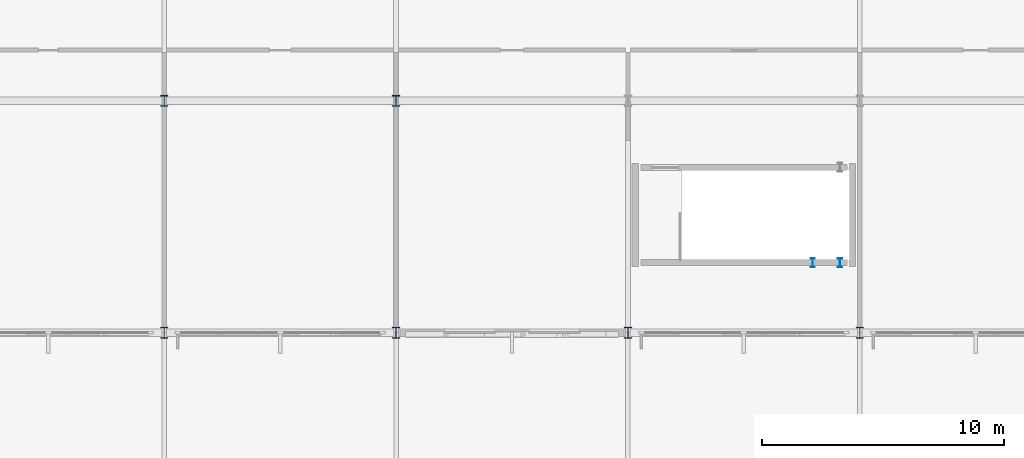
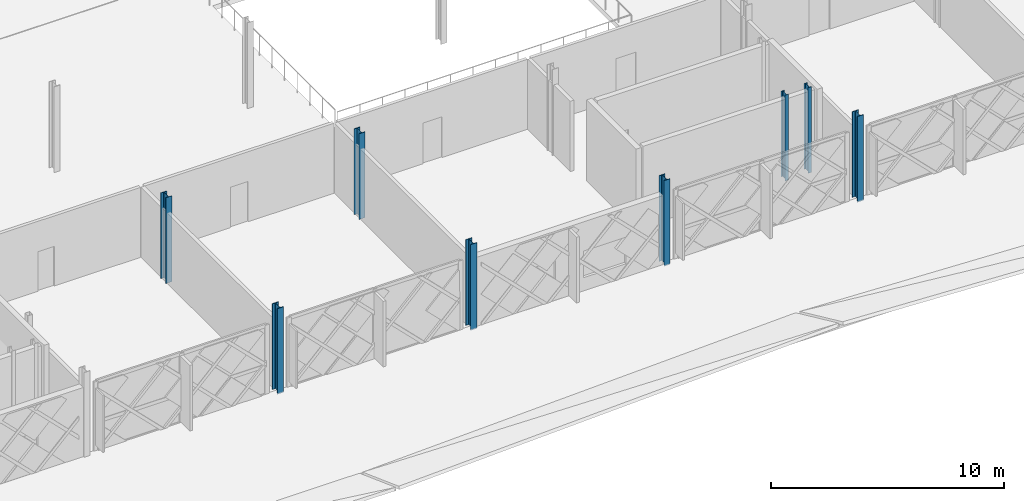
# One storey, part 5 of 101: 8 columns.
"""IFC4 building model written with IfcOpenShell, lengths in metres."""

from ifc_helpers import new_model, si_unit, direction, frame, origin, origin_2d, place, context, subcontext, project, spatial, i_section, extrude, material, material_profile, profile_set, type_object, element, save


model = new_model("IFC4")

# Units and contexts
model_context = context("Model", 3, precision=1e-05, world=origin(), true_north=direction((0.0, 1.0)))
body_context = subcontext(model_context, "Body", "Model", "MODEL_VIEW")
ifc_project = project(units=[si_unit("LENGTHUNIT", "METRE"), si_unit("AREAUNIT", "SQUARE_METRE"), si_unit("VOLUMEUNIT", "CUBIC_METRE"), si_unit("PLANEANGLEUNIT", "RADIAN"), si_unit("MASSUNIT", "GRAM", prefix="KILO")], contexts=[model_context])

# Site, building, storey
site_placement = place(None, origin())
site = spatial("IfcSite", under=ifc_project, at=site_placement, CompositionType="ELEMENT")
building_placement = place(site_placement, origin())
building = spatial("IfcBuilding", under=site, at=building_placement, Name="Zevrakil Square Congress Hotel", CompositionType="ELEMENT")
storey_placement = place(building_placement, frame((0.0, 0.0, 5.39990234375)))
storey = spatial("IfcBuildingStorey", under=building, at=storey_placement, Name="L02", CompositionType="ELEMENT", Elevation=5.39990234375)

# Columns
ifc_material_1 = material(Name="Steel S355", Category="steel")
ifc_material_profile_1 = material_profile(ifc_material_1, i_section(OverallWidth=0.300048828125, OverallDepth=0.449951171875, WebThickness=0.013916015625, FlangeThickness=0.02587890625, FilletRadius=0.027099609375, at=origin_2d()), Name="HEB 450")
ifc_profile_set_1 = profile_set([ifc_material_profile_1], Name="Steel S355")
column_type_1 = type_object("IfcColumnType", Name="COL-HEB450", PredefinedType="COLUMN", material=ifc_profile_set_1)
for number, where, z_axis, x_axis, name in (
    (1, (64.800048828125, 7.199951171875, 0.0), (0.0, 0.0, 1.0), (1.0, 0.0, 0.0), "L02 column C-100"),
    (2, (64.800048828125, 16.800048828125, 0.0), (0.0, 0.0, 1.0), (1.0, 0.0, 0.0), "L02 column C-101"),
    (3, (74.39990234375, 7.199951171875, 0.0), (0.0, 0.0, 1.0), (1.0, 0.0, 0.0), "L02 column C-114"),
    (4, (74.39990234375, 16.800048828125, 0.0), (0.0, 0.0, 1.0), (1.0, 0.0, 0.0), "L02 column C-115"),
    (5, (84.0, 7.199951171875, 0.0), (0.0, 0.0, 1.0), (1.0, 0.0, 0.0), "L02 column C-126"),
    (6, (93.60009765625, 7.199951171875, 0.0), (0.0, 0.0, 1.0), (1.0, 0.0, 0.0), "L02 column C-138"),
):
    element("IfcColumn", number, at=place(storey_placement, frame(where, z_axis=z_axis, x_axis=x_axis)), inside=storey, type_object=column_type_1, Name=name, PredefinedType="COLUMN", context=body_context, shape_type="SweptSolid", body=[
        extrude(i_section(OverallWidth=0.300048828125, OverallDepth=0.449951171875, WebThickness=0.013916015625, FlangeThickness=0.02587890625, FilletRadius=0.027099609375, at=origin_2d()), origin(), (0.0, 0.0, 1.0), 4.5),
    ])
ifc_material_2 = material(Name="Steel S355", Category="steel")
ifc_material_profile_2 = material_profile(ifc_material_2, i_section(OverallWidth=0.169921875, OverallDepth=0.360107421875, WebThickness=0.008056640625, FlangeThickness=0.0126953125, FilletRadius=0.01806640625, at=origin_2d()), Name="IPE 360")
ifc_profile_set_2 = profile_set([ifc_material_profile_2], Name="Steel S355")
column_type_2 = type_object("IfcColumnType", Name="COL-PILASTER-SHS180", PredefinedType="PILASTER", material=ifc_profile_set_2)
for number, where, z_axis, x_axis, name in (
    (7, (91.64990234375, 10.10009765625, 0.0), (0.0, 0.0, 1.0), (1.0, 0.0, 0.0), "L02 ST15 stair shaft post 1"),
    (8, (92.780029296875, 10.10009765625, 0.0), (0.0, 0.0, 1.0), (1.0, 0.0, 0.0), "L02 ST15 stair shaft post 2"),
):
    element("IfcColumn", number, at=place(storey_placement, frame(where, z_axis=z_axis, x_axis=x_axis)), inside=storey, type_object=column_type_2, Name=name, PredefinedType="PILASTER", context=body_context, shape_type="SweptSolid", body=[
        extrude(i_section(OverallWidth=0.169921875, OverallDepth=0.360107421875, WebThickness=0.008056640625, FlangeThickness=0.0126953125, FilletRadius=0.01806640625, at=origin_2d()), origin(), (0.0, 0.0, 1.0), 4.5),
    ])

save(model, "model.ifc")
